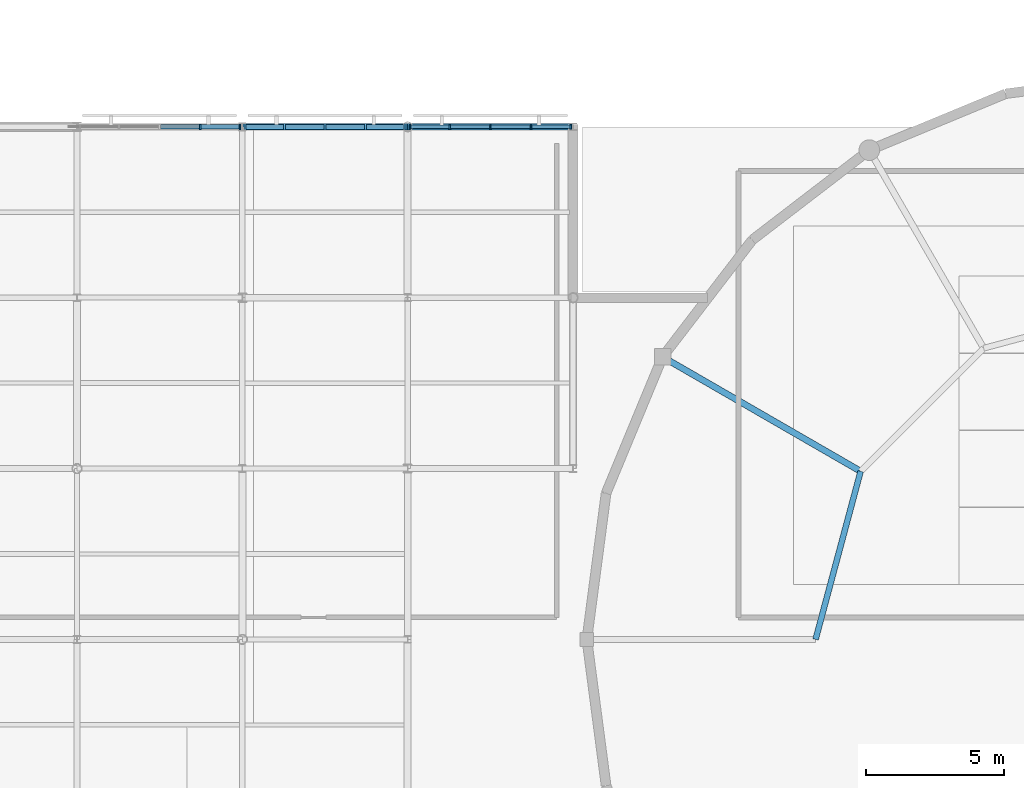
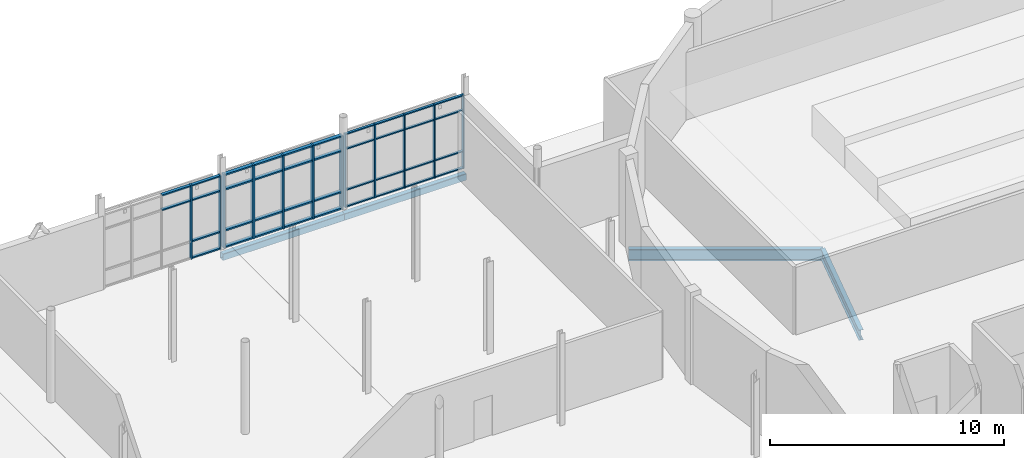
# One storey, part 32 of 84: 50 members, 4 beams, 3 elements without a shape of their own.
"""IFC4 building model written with IfcOpenShell, lengths in metres."""

from ifc_helpers import new_model, si_unit, direction, frame, origin, origin_2d, place, context, subcontext, project, spatial, rectangle, hollow_rectangle, i_section, extrude, material, layer, layer_set, material_profile, profile_set, type_object, element, aggregate, save


model = new_model("IFC4")

# Units and contexts
model_context = context("Model", 3, precision=1e-05, world=origin(), true_north=direction((0.0, 1.0)))
body_context = subcontext(model_context, "Body", "Model", "MODEL_VIEW")
ifc_project = project(units=[si_unit("LENGTHUNIT", "METRE"), si_unit("AREAUNIT", "SQUARE_METRE"), si_unit("VOLUMEUNIT", "CUBIC_METRE"), si_unit("PLANEANGLEUNIT", "RADIAN"), si_unit("MASSUNIT", "GRAM", prefix="KILO")], contexts=[model_context])

# Site, building, storey
site_placement = place(None, origin())
site = spatial("IfcSite", under=ifc_project, at=site_placement, CompositionType="ELEMENT")
building_placement = place(site_placement, origin())
building = spatial("IfcBuilding", under=site, at=building_placement, Name="Mirzam Square Science Centre", CompositionType="ELEMENT")
storey_placement = place(building_placement, frame((0.0, 0.0, 10.800048828125)))
storey = spatial("IfcBuildingStorey", under=building, at=storey_placement, Name="L02", CompositionType="ELEMENT", Elevation=10.800048828125)

# Beams
ifc_material_1 = material(Name="Steel S355", Category="steel")
ifc_material_profile_1 = material_profile(ifc_material_1, i_section(OverallWidth=0.2099609375, OverallDepth=0.53662109375, WebThickness=0.0107421875, FlangeThickness=0.017333984375, FilletRadius=0.0126953125, at=origin_2d()), Name="533x210x101UB")
ifc_profile_set_1 = profile_set([ifc_material_profile_1], Name="Steel S355")
beam_type_1 = type_object("IfcBeamType", Name="BM-UB533", PredefinedType="BEAM", material=ifc_profile_set_1)
beam_1_placement = place(storey_placement, frame((70.4345703125, 68.10009765625, -0.54833984375), z_axis=(-0.25881981979, -0.965925618712, 0.0), x_axis=(0.965925618712, -0.25881981979, 0.0)))
element("IfcBeam", 1, at=beam_1_placement, inside=storey, type_object=beam_type_1, Name="L02 inner drum ring girder 06", PredefinedType="BEAM", context=body_context, shape_type="SweptSolid", body=[
    extrude(i_section(OverallWidth=0.2099609375, OverallDepth=0.53662109375, WebThickness=0.0107421875, FlangeThickness=0.017333984375, FilletRadius=0.0126953125, at=origin_2d()), origin(), (0.0, 0.0, 1.0), 6.315185546875),
])
ifc_material_profile_2 = material_profile(ifc_material_1, i_section(OverallWidth=0.22900390625, OverallDepth=0.6123046875, WebThickness=0.011962890625, FlangeThickness=0.01953125, FilletRadius=0.0126953125, at=origin_2d()), Name="610x229x125UB")
ifc_profile_set_2 = profile_set([ifc_material_profile_2], Name="Steel S355")
beam_type_2 = type_object("IfcBeamType", Name="BM-UB610", PredefinedType="BEAM", material=ifc_profile_set_2)
beam_2_placement = place(storey_placement, frame((70.4345703125, 68.10009765625, -0.586181640625), z_axis=(-0.86602981871, 0.499992353047, 0.0), x_axis=(-0.499992353047, -0.86602981871, 0.0)))
element("IfcBeam", 2, at=beam_2_placement, inside=storey, type_object=beam_type_2, Name="L02 drum radial girder 06", PredefinedType="BEAM", context=body_context, shape_type="SweptSolid", body=[
    extrude(i_section(OverallWidth=0.22900390625, OverallDepth=0.6123046875, WebThickness=0.011962890625, FlangeThickness=0.01953125, FilletRadius=0.0126953125, at=origin_2d()), origin(), (0.0, 0.0, 1.0), 8.300048828125),
])

# Curtain wall, members
ifc_material_2 = material(Name="Anodised Aluminium and Low-E Solar Glass", Category="aluminium")
ifc_layer_1 = layer(ifc_material_2, 0.199951171875)
ifc_layer_set_1 = layer_set([ifc_layer_1], Name="CW-EAST-A")
curtain_wall_type_1 = type_object("IfcCurtainWallType", Name="CW-EAST-A", PredefinedType="USERDEFINED", material=ifc_layer_set_1)
curtain_wall_1_placement = place(storey_placement, origin())
curtain_wall_1 = element("IfcCurtainWall", 3, at=curtain_wall_1_placement, inside=storey, type_object=curtain_wall_type_1, Name="L02 unitised curtain wall 26", ObjectType="UNITISED CURTAIN WALL", PredefinedType="USERDEFINED")
ifc_material_3 = material(Name="Anodised Architectural Aluminium 6063-T6", Category="aluminium")
ifc_material_profile_3 = material_profile(ifc_material_3, rectangle(XDim=0.06005859375, YDim=0.159912109375, at=origin_2d()), Name="ALU-MULL-160x60x4")
ifc_profile_set_3 = profile_set([ifc_material_profile_3], Name="Anodised Architectural Aluminium 6063-T6")
member_type_1 = type_object("IfcMemberType", Name="CWM-160", PredefinedType="MULLION", material=ifc_profile_set_3)
member_1_placement = place(storey_placement, frame((59.9150390625, 80.60009765625, 0.0), z_axis=(0.0, 0.0, 1.0), x_axis=(-1.0, 0.0, 0.0)))
member_1 = element("IfcMember", 4, at=member_1_placement, type_object=member_type_1, Name="CW-05 mullion 1", PredefinedType="MULLION", context=body_context, shape_type="SweptSolid", body=[
    extrude(rectangle(XDim=0.06005859375, YDim=0.159912109375, at=origin_2d()), origin(), (0.0, 0.0, 1.0), 3.83984375),
])
member_2_placement = place(storey_placement, frame((58.472412109375, 80.60009765625, 0.0), z_axis=(0.0, 0.0, 1.0), x_axis=(-1.0, 0.0, 0.0)))
member_2 = element("IfcMember", 5, at=member_2_placement, type_object=member_type_1, Name="CW-05 mullion 2", PredefinedType="MULLION", context=body_context, shape_type="SweptSolid", body=[
    extrude(rectangle(XDim=0.06005859375, YDim=0.159912109375, at=origin_2d()), origin(), (0.0, 0.0, 1.0), 3.83984375),
])
member_3_placement = place(storey_placement, frame((57.0, 80.60009765625, 0.0), z_axis=(0.0, 0.0, 1.0), x_axis=(-1.0, 0.0, 0.0)))
member_3 = element("IfcMember", 6, at=member_3_placement, type_object=member_type_1, Name="CW-05 mullion 3", PredefinedType="MULLION", context=body_context, shape_type="SweptSolid", body=[
    extrude(rectangle(XDim=0.06005859375, YDim=0.159912109375, at=origin_2d()), origin(), (0.0, 0.0, 1.0), 3.83984375),
])
member_4_placement = place(storey_placement, frame((55.527587890625, 80.60009765625, 0.0), z_axis=(0.0, 0.0, 1.0), x_axis=(-1.0, 0.0, 0.0)))
member_4 = element("IfcMember", 7, at=member_4_placement, type_object=member_type_1, Name="CW-05 mullion 4", PredefinedType="MULLION", context=body_context, shape_type="SweptSolid", body=[
    extrude(rectangle(XDim=0.06005859375, YDim=0.159912109375, at=origin_2d()), origin(), (0.0, 0.0, 1.0), 3.83984375),
])
member_5_placement = place(storey_placement, frame((54.0849609375, 80.60009765625, 0.0), z_axis=(0.0, 0.0, 1.0), x_axis=(-1.0, 0.0, 0.0)))
member_5 = element("IfcMember", 8, at=member_5_placement, type_object=member_type_1, Name="CW-05 mullion 5", PredefinedType="MULLION", context=body_context, shape_type="SweptSolid", body=[
    extrude(rectangle(XDim=0.06005859375, YDim=0.159912109375, at=origin_2d()), origin(), (0.0, 0.0, 1.0), 3.83984375),
])

ifc_layer_2 = layer(ifc_material_2, 0.159912109375)
ifc_layer_set_2 = layer_set([ifc_layer_2], Name="CW-COURT-A")
curtain_wall_type_2 = type_object("IfcCurtainWallType", Name="CW-COURT-A", PredefinedType="USERDEFINED", material=ifc_layer_set_2)
curtain_wall_2_placement = place(storey_placement, origin())
curtain_wall_2 = element("IfcCurtainWall", 9, at=curtain_wall_2_placement, inside=storey, type_object=curtain_wall_type_2, Name="L02 unitised curtain wall 24", ObjectType="UNITISED CURTAIN WALL", PredefinedType="USERDEFINED")
ifc_material_profile_4 = material_profile(ifc_material_3, rectangle(XDim=0.06494140625, YDim=0.199951171875, at=origin_2d()), Name="ALU-MULL-200x65x5")
ifc_profile_set_4 = profile_set([ifc_material_profile_4], Name="Anodised Architectural Aluminium 6063-T6")
member_type_2 = type_object("IfcMemberType", Name="CWM-200", PredefinedType="MULLION", material=ifc_profile_set_4)
member_6_placement = place(storey_placement, frame((47.91259765625, 80.60009765625, 0.0), z_axis=(0.0, 0.0, 1.0), x_axis=(-1.0, 0.0, 0.0)))
member_6 = element("IfcMember", 10, at=member_6_placement, type_object=member_type_2, Name="CW-03 mullion 1", PredefinedType="MULLION", context=body_context, shape_type="SweptSolid", body=[
    extrude(rectangle(XDim=0.06494140625, YDim=0.199951171875, at=origin_2d()), origin(), (0.0, 0.0, 1.0), 3.83984375),
])
member_7_placement = place(storey_placement, frame((46.472412109375, 80.60009765625, 0.0), z_axis=(0.0, 0.0, 1.0), x_axis=(-1.0, 0.0, 0.0)))
member_7 = element("IfcMember", 11, at=member_7_placement, type_object=member_type_2, Name="CW-03 mullion 2", PredefinedType="MULLION", context=body_context, shape_type="SweptSolid", body=[
    extrude(rectangle(XDim=0.06494140625, YDim=0.199951171875, at=origin_2d()), origin(), (0.0, 0.0, 1.0), 3.83984375),
])

ifc_layer_3 = layer(ifc_material_2, 0.159912109375)
ifc_layer_set_3 = layer_set([ifc_layer_3], Name="CW-COURT-B")
curtain_wall_type_3 = type_object("IfcCurtainWallType", Name="CW-COURT-B", PredefinedType="USERDEFINED", material=ifc_layer_set_3)
curtain_wall_3_placement = place(storey_placement, origin())
curtain_wall_3 = element("IfcCurtainWall", 12, at=curtain_wall_3_placement, inside=storey, type_object=curtain_wall_type_3, Name="L02 unitised curtain wall 25", ObjectType="UNITISED CURTAIN WALL", PredefinedType="USERDEFINED")
ifc_material_profile_5 = material_profile(ifc_material_3, rectangle(XDim=0.074951171875, YDim=0.239990234375, at=origin_2d()), Name="ALU-MULL-240x75x5")
ifc_profile_set_5 = profile_set([ifc_material_profile_5], Name="Anodised Architectural Aluminium 6063-T6")
member_type_3 = type_object("IfcMemberType", Name="CWM-240", PredefinedType="MULLION", material=ifc_profile_set_5)
member_8_placement = place(storey_placement, frame((53.907470703125, 80.60009765625, 0.0), z_axis=(0.0, 0.0, 1.0), x_axis=(-1.0, 0.0, 0.0)))
member_8 = element("IfcMember", 13, at=member_8_placement, type_object=member_type_3, Name="CW-04 mullion 1", PredefinedType="MULLION", context=body_context, shape_type="SweptSolid", body=[
    extrude(rectangle(XDim=0.074951171875, YDim=0.239990234375, at=origin_2d()), origin(), (0.0, 0.0, 1.0), 3.83984375),
])
member_9_placement = place(storey_placement, frame((52.472412109375, 80.60009765625, 0.0), z_axis=(0.0, 0.0, 1.0), x_axis=(-1.0, 0.0, 0.0)))
member_9 = element("IfcMember", 14, at=member_9_placement, type_object=member_type_3, Name="CW-04 mullion 2", PredefinedType="MULLION", context=body_context, shape_type="SweptSolid", body=[
    extrude(rectangle(XDim=0.074951171875, YDim=0.239990234375, at=origin_2d()), origin(), (0.0, 0.0, 1.0), 3.83984375),
])
member_10_placement = place(storey_placement, frame((51.0, 80.60009765625, 0.0), z_axis=(0.0, 0.0, 1.0), x_axis=(-1.0, 0.0, 0.0)))
member_10 = element("IfcMember", 15, at=member_10_placement, type_object=member_type_3, Name="CW-04 mullion 3", PredefinedType="MULLION", context=body_context, shape_type="SweptSolid", body=[
    extrude(rectangle(XDim=0.074951171875, YDim=0.239990234375, at=origin_2d()), origin(), (0.0, 0.0, 1.0), 3.83984375),
])
member_11_placement = place(storey_placement, frame((49.527587890625, 80.60009765625, 0.0), z_axis=(0.0, 0.0, 1.0), x_axis=(-1.0, 0.0, 0.0)))
member_11 = element("IfcMember", 16, at=member_11_placement, type_object=member_type_3, Name="CW-04 mullion 4", PredefinedType="MULLION", context=body_context, shape_type="SweptSolid", body=[
    extrude(rectangle(XDim=0.074951171875, YDim=0.239990234375, at=origin_2d()), origin(), (0.0, 0.0, 1.0), 3.83984375),
])
member_12_placement = place(storey_placement, frame((48.092529296875, 80.60009765625, 0.0), z_axis=(0.0, 0.0, 1.0), x_axis=(-1.0, 0.0, 0.0)))
member_12 = element("IfcMember", 17, at=member_12_placement, type_object=member_type_3, Name="CW-04 mullion 5", PredefinedType="MULLION", context=body_context, shape_type="SweptSolid", body=[
    extrude(rectangle(XDim=0.074951171875, YDim=0.239990234375, at=origin_2d()), origin(), (0.0, 0.0, 1.0), 3.83984375),
])

# Member
ifc_material_profile_6 = material_profile(ifc_material_3, rectangle(XDim=0.1201171875, YDim=0.06005859375, at=origin_2d()), Name="ALU-TRAN-120x60x4")
ifc_profile_set_6 = profile_set([ifc_material_profile_6], Name="Anodised Architectural Aluminium 6063-T6")
member_type_4 = type_object("IfcMemberType", Name="CWT-120", PredefinedType="USERDEFINED", material=ifc_profile_set_6)
member_13_placement = place(storey_placement, frame((59.885009765625, 80.60009765625, 0.030029296875), z_axis=(-1.0, 0.0, 0.0), x_axis=(0.0, -1.0, 0.0)))
member_13 = element("IfcMember", 18, at=member_13_placement, type_object=member_type_4, Name="CW-05 transom 1.1", ObjectType="TRANSOM", PredefinedType="USERDEFINED", context=body_context, shape_type="SweptSolid", body=[
    extrude(rectangle(XDim=0.1201171875, YDim=0.06005859375, at=origin_2d()), origin(), (0.0, 0.0, 1.0), 1.382568359375),
])

member_14_placement = place(storey_placement, frame((59.885009765625, 80.60009765625, 0.89990234375), z_axis=(-1.0, 0.0, 0.0), x_axis=(0.0, -1.0, 0.0)))
member_14 = element("IfcMember", 19, at=member_14_placement, type_object=member_type_4, Name="CW-05 transom 1.2", ObjectType="TRANSOM", PredefinedType="USERDEFINED", context=body_context, shape_type="SweptSolid", body=[
    extrude(rectangle(XDim=0.1201171875, YDim=0.06005859375, at=origin_2d()), origin(), (0.0, 0.0, 1.0), 1.382568359375),
])

member_15_placement = place(storey_placement, frame((59.885009765625, 80.60009765625, 3.0400390625), z_axis=(-1.0, 0.0, 0.0), x_axis=(0.0, -1.0, 0.0)))
member_15 = element("IfcMember", 20, at=member_15_placement, type_object=member_type_4, Name="CW-05 transom 1.3", ObjectType="TRANSOM", PredefinedType="USERDEFINED", context=body_context, shape_type="SweptSolid", body=[
    extrude(rectangle(XDim=0.1201171875, YDim=0.06005859375, at=origin_2d()), origin(), (0.0, 0.0, 1.0), 1.382568359375),
])

member_16_placement = place(storey_placement, frame((59.885009765625, 80.60009765625, 3.81005859375), z_axis=(-1.0, 0.0, 0.0), x_axis=(0.0, -1.0, 0.0)))
member_16 = element("IfcMember", 21, at=member_16_placement, type_object=member_type_4, Name="CW-05 transom 1.4", ObjectType="TRANSOM", PredefinedType="USERDEFINED", context=body_context, shape_type="SweptSolid", body=[
    extrude(rectangle(XDim=0.1201171875, YDim=0.06005859375, at=origin_2d()), origin(), (0.0, 0.0, 1.0), 1.382568359375),
])

member_17_placement = place(storey_placement, frame((58.4423828125, 80.60009765625, 0.030029296875), z_axis=(-1.0, 0.0, 0.0), x_axis=(0.0, -1.0, 0.0)))
member_17 = element("IfcMember", 22, at=member_17_placement, type_object=member_type_4, Name="CW-05 transom 2.1", ObjectType="TRANSOM", PredefinedType="USERDEFINED", context=body_context, shape_type="SweptSolid", body=[
    extrude(rectangle(XDim=0.1201171875, YDim=0.06005859375, at=origin_2d()), origin(), (0.0, 0.0, 1.0), 1.412353515625),
])

member_18_placement = place(storey_placement, frame((58.4423828125, 80.60009765625, 0.89990234375), z_axis=(-1.0, 0.0, 0.0), x_axis=(0.0, -1.0, 0.0)))
member_18 = element("IfcMember", 23, at=member_18_placement, type_object=member_type_4, Name="CW-05 transom 2.2", ObjectType="TRANSOM", PredefinedType="USERDEFINED", context=body_context, shape_type="SweptSolid", body=[
    extrude(rectangle(XDim=0.1201171875, YDim=0.06005859375, at=origin_2d()), origin(), (0.0, 0.0, 1.0), 1.412353515625),
])

member_19_placement = place(storey_placement, frame((58.4423828125, 80.60009765625, 3.0400390625), z_axis=(-1.0, 0.0, 0.0), x_axis=(0.0, -1.0, 0.0)))
member_19 = element("IfcMember", 24, at=member_19_placement, type_object=member_type_4, Name="CW-05 transom 2.3", ObjectType="TRANSOM", PredefinedType="USERDEFINED", context=body_context, shape_type="SweptSolid", body=[
    extrude(rectangle(XDim=0.1201171875, YDim=0.06005859375, at=origin_2d()), origin(), (0.0, 0.0, 1.0), 1.412353515625),
])

member_20_placement = place(storey_placement, frame((58.4423828125, 80.60009765625, 3.81005859375), z_axis=(-1.0, 0.0, 0.0), x_axis=(0.0, -1.0, 0.0)))
member_20 = element("IfcMember", 25, at=member_20_placement, type_object=member_type_4, Name="CW-05 transom 2.4", ObjectType="TRANSOM", PredefinedType="USERDEFINED", context=body_context, shape_type="SweptSolid", body=[
    extrude(rectangle(XDim=0.1201171875, YDim=0.06005859375, at=origin_2d()), origin(), (0.0, 0.0, 1.0), 1.412353515625),
])

member_21_placement = place(storey_placement, frame((56.969970703125, 80.60009765625, 0.030029296875), z_axis=(-1.0, 0.0, 0.0), x_axis=(0.0, -1.0, 0.0)))
member_21 = element("IfcMember", 26, at=member_21_placement, type_object=member_type_4, Name="CW-05 transom 3.1", ObjectType="TRANSOM", PredefinedType="USERDEFINED", context=body_context, shape_type="SweptSolid", body=[
    extrude(rectangle(XDim=0.1201171875, YDim=0.06005859375, at=origin_2d()), origin(), (0.0, 0.0, 1.0), 1.412353515625),
])

member_22_placement = place(storey_placement, frame((56.969970703125, 80.60009765625, 0.89990234375), z_axis=(-1.0, 0.0, 0.0), x_axis=(0.0, -1.0, 0.0)))
member_22 = element("IfcMember", 27, at=member_22_placement, type_object=member_type_4, Name="CW-05 transom 3.2", ObjectType="TRANSOM", PredefinedType="USERDEFINED", context=body_context, shape_type="SweptSolid", body=[
    extrude(rectangle(XDim=0.1201171875, YDim=0.06005859375, at=origin_2d()), origin(), (0.0, 0.0, 1.0), 1.412353515625),
])

member_23_placement = place(storey_placement, frame((56.969970703125, 80.60009765625, 3.0400390625), z_axis=(-1.0, 0.0, 0.0), x_axis=(0.0, -1.0, 0.0)))
member_23 = element("IfcMember", 28, at=member_23_placement, type_object=member_type_4, Name="CW-05 transom 3.3", ObjectType="TRANSOM", PredefinedType="USERDEFINED", context=body_context, shape_type="SweptSolid", body=[
    extrude(rectangle(XDim=0.1201171875, YDim=0.06005859375, at=origin_2d()), origin(), (0.0, 0.0, 1.0), 1.412353515625),
])

member_24_placement = place(storey_placement, frame((56.969970703125, 80.60009765625, 3.81005859375), z_axis=(-1.0, 0.0, 0.0), x_axis=(0.0, -1.0, 0.0)))
member_24 = element("IfcMember", 29, at=member_24_placement, type_object=member_type_4, Name="CW-05 transom 3.4", ObjectType="TRANSOM", PredefinedType="USERDEFINED", context=body_context, shape_type="SweptSolid", body=[
    extrude(rectangle(XDim=0.1201171875, YDim=0.06005859375, at=origin_2d()), origin(), (0.0, 0.0, 1.0), 1.412353515625),
])

member_25_placement = place(storey_placement, frame((55.49755859375, 80.60009765625, 0.030029296875), z_axis=(-1.0, 0.0, 0.0), x_axis=(0.0, -1.0, 0.0)))
member_25 = element("IfcMember", 30, at=member_25_placement, type_object=member_type_4, Name="CW-05 transom 4.1", ObjectType="TRANSOM", PredefinedType="USERDEFINED", context=body_context, shape_type="SweptSolid", body=[
    extrude(rectangle(XDim=0.1201171875, YDim=0.06005859375, at=origin_2d()), origin(), (0.0, 0.0, 1.0), 1.382568359375),
])

member_26_placement = place(storey_placement, frame((55.49755859375, 80.60009765625, 0.89990234375), z_axis=(-1.0, 0.0, 0.0), x_axis=(0.0, -1.0, 0.0)))
member_26 = element("IfcMember", 31, at=member_26_placement, type_object=member_type_4, Name="CW-05 transom 4.2", ObjectType="TRANSOM", PredefinedType="USERDEFINED", context=body_context, shape_type="SweptSolid", body=[
    extrude(rectangle(XDim=0.1201171875, YDim=0.06005859375, at=origin_2d()), origin(), (0.0, 0.0, 1.0), 1.382568359375),
])

member_27_placement = place(storey_placement, frame((55.49755859375, 80.60009765625, 3.0400390625), z_axis=(-1.0, 0.0, 0.0), x_axis=(0.0, -1.0, 0.0)))
member_27 = element("IfcMember", 32, at=member_27_placement, type_object=member_type_4, Name="CW-05 transom 4.3", ObjectType="TRANSOM", PredefinedType="USERDEFINED", context=body_context, shape_type="SweptSolid", body=[
    extrude(rectangle(XDim=0.1201171875, YDim=0.06005859375, at=origin_2d()), origin(), (0.0, 0.0, 1.0), 1.382568359375),
])

member_28_placement = place(storey_placement, frame((55.49755859375, 80.60009765625, 3.81005859375), z_axis=(-1.0, 0.0, 0.0), x_axis=(0.0, -1.0, 0.0)))
member_28 = element("IfcMember", 33, at=member_28_placement, type_object=member_type_4, Name="CW-05 transom 4.4", ObjectType="TRANSOM", PredefinedType="USERDEFINED", context=body_context, shape_type="SweptSolid", body=[
    extrude(rectangle(XDim=0.1201171875, YDim=0.06005859375, at=origin_2d()), origin(), (0.0, 0.0, 1.0), 1.382568359375),
])

aggregate(curtain_wall_1, [member_1, member_2, member_3, member_4, member_5, member_13, member_14, member_15, member_16, member_17, member_18, member_19, member_20, member_21, member_22, member_23, member_24, member_25, member_26, member_27, member_28])

ifc_material_profile_7 = material_profile(ifc_material_3, rectangle(XDim=0.14990234375, YDim=0.06494140625, at=origin_2d()), Name="ALU-TRAN-150x65x4")
ifc_profile_set_7 = profile_set([ifc_material_profile_7], Name="Anodised Architectural Aluminium 6063-T6")
member_type_5 = type_object("IfcMemberType", Name="CWT-150", PredefinedType="USERDEFINED", material=ifc_profile_set_7)
member_29_placement = place(storey_placement, frame((47.8798828125, 80.60009765625, 0.032470703125), z_axis=(-1.0, 0.0, 0.0), x_axis=(0.0, -1.0, 0.0)))
member_29 = element("IfcMember", 34, at=member_29_placement, type_object=member_type_5, Name="CW-03 transom 1.1", ObjectType="TRANSOM", PredefinedType="USERDEFINED", context=body_context, shape_type="SweptSolid", body=[
    extrude(rectangle(XDim=0.14990234375, YDim=0.06494140625, at=origin_2d()), origin(), (0.0, 0.0, 1.0), 1.375),
])

member_30_placement = place(storey_placement, frame((47.8798828125, 80.60009765625, 0.89990234375), z_axis=(-1.0, 0.0, 0.0), x_axis=(0.0, -1.0, 0.0)))
member_30 = element("IfcMember", 35, at=member_30_placement, type_object=member_type_5, Name="CW-03 transom 1.2", ObjectType="TRANSOM", PredefinedType="USERDEFINED", context=body_context, shape_type="SweptSolid", body=[
    extrude(rectangle(XDim=0.14990234375, YDim=0.06494140625, at=origin_2d()), origin(), (0.0, 0.0, 1.0), 1.375),
])

member_31_placement = place(storey_placement, frame((47.8798828125, 80.60009765625, 3.0400390625), z_axis=(-1.0, 0.0, 0.0), x_axis=(0.0, -1.0, 0.0)))
member_31 = element("IfcMember", 36, at=member_31_placement, type_object=member_type_5, Name="CW-03 transom 1.3", ObjectType="TRANSOM", PredefinedType="USERDEFINED", context=body_context, shape_type="SweptSolid", body=[
    extrude(rectangle(XDim=0.14990234375, YDim=0.06494140625, at=origin_2d()), origin(), (0.0, 0.0, 1.0), 1.375),
])

member_32_placement = place(storey_placement, frame((47.8798828125, 80.60009765625, 3.807373046875), z_axis=(-1.0, 0.0, 0.0), x_axis=(0.0, -1.0, 0.0)))
member_32 = element("IfcMember", 37, at=member_32_placement, type_object=member_type_5, Name="CW-03 transom 1.4", ObjectType="TRANSOM", PredefinedType="USERDEFINED", context=body_context, shape_type="SweptSolid", body=[
    extrude(rectangle(XDim=0.14990234375, YDim=0.06494140625, at=origin_2d()), origin(), (0.0, 0.0, 1.0), 1.375),
])

member_33_placement = place(storey_placement, frame((46.43994140625, 80.60009765625, 3.0400390625), z_axis=(-1.0, 0.0, 0.0), x_axis=(0.0, -1.0, 0.0)))
member_33 = element("IfcMember", 38, at=member_33_placement, type_object=member_type_5, Name="CW-03 transom 2.3", ObjectType="TRANSOM", PredefinedType="USERDEFINED", context=body_context, shape_type="SweptSolid", body=[
    extrude(rectangle(XDim=0.14990234375, YDim=0.06494140625, at=origin_2d()), origin(), (0.0, 0.0, 1.0), 1.407470703125),
])

member_34_placement = place(storey_placement, frame((46.43994140625, 80.60009765625, 3.807373046875), z_axis=(-1.0, 0.0, 0.0), x_axis=(0.0, -1.0, 0.0)))
member_34 = element("IfcMember", 39, at=member_34_placement, type_object=member_type_5, Name="CW-03 transom 2.4", ObjectType="TRANSOM", PredefinedType="USERDEFINED", context=body_context, shape_type="SweptSolid", body=[
    extrude(rectangle(XDim=0.14990234375, YDim=0.06494140625, at=origin_2d()), origin(), (0.0, 0.0, 1.0), 1.407470703125),
])

aggregate(curtain_wall_2, [member_6, member_7, member_29, member_30, member_31, member_32, member_33, member_34])

ifc_material_profile_8 = material_profile(ifc_material_3, rectangle(XDim=0.179931640625, YDim=0.074951171875, at=origin_2d()), Name="ALU-TRAN-180x75x5")
ifc_profile_set_8 = profile_set([ifc_material_profile_8], Name="Anodised Architectural Aluminium 6063-T6")
member_type_6 = type_object("IfcMemberType", Name="CWT-180", PredefinedType="USERDEFINED", material=ifc_profile_set_8)
member_35_placement = place(storey_placement, frame((53.8701171875, 80.60009765625, 0.037353515625), z_axis=(-1.0, 0.0, 0.0), x_axis=(0.0, -1.0, 0.0)))
member_35 = element("IfcMember", 40, at=member_35_placement, type_object=member_type_6, Name="CW-04 transom 1.1", ObjectType="TRANSOM", PredefinedType="USERDEFINED", context=body_context, shape_type="SweptSolid", body=[
    extrude(rectangle(XDim=0.179931640625, YDim=0.074951171875, at=origin_2d()), origin(), (0.0, 0.0, 1.0), 1.360107421875),
])

member_36_placement = place(storey_placement, frame((53.8701171875, 80.60009765625, 0.89990234375), z_axis=(-1.0, 0.0, 0.0), x_axis=(0.0, -1.0, 0.0)))
member_36 = element("IfcMember", 41, at=member_36_placement, type_object=member_type_6, Name="CW-04 transom 1.2", ObjectType="TRANSOM", PredefinedType="USERDEFINED", context=body_context, shape_type="SweptSolid", body=[
    extrude(rectangle(XDim=0.179931640625, YDim=0.074951171875, at=origin_2d()), origin(), (0.0, 0.0, 1.0), 1.360107421875),
])

member_37_placement = place(storey_placement, frame((53.8701171875, 80.60009765625, 3.0400390625), z_axis=(-1.0, 0.0, 0.0), x_axis=(0.0, -1.0, 0.0)))
member_37 = element("IfcMember", 42, at=member_37_placement, type_object=member_type_6, Name="CW-04 transom 1.3", ObjectType="TRANSOM", PredefinedType="USERDEFINED", context=body_context, shape_type="SweptSolid", body=[
    extrude(rectangle(XDim=0.179931640625, YDim=0.074951171875, at=origin_2d()), origin(), (0.0, 0.0, 1.0), 1.360107421875),
])

member_38_placement = place(storey_placement, frame((53.8701171875, 80.60009765625, 3.802490234375), z_axis=(-1.0, 0.0, 0.0), x_axis=(0.0, -1.0, 0.0)))
member_38 = element("IfcMember", 43, at=member_38_placement, type_object=member_type_6, Name="CW-04 transom 1.4", ObjectType="TRANSOM", PredefinedType="USERDEFINED", context=body_context, shape_type="SweptSolid", body=[
    extrude(rectangle(XDim=0.179931640625, YDim=0.074951171875, at=origin_2d()), origin(), (0.0, 0.0, 1.0), 1.360107421875),
])

member_39_placement = place(storey_placement, frame((52.43505859375, 80.60009765625, 0.037353515625), z_axis=(-1.0, 0.0, 0.0), x_axis=(0.0, -1.0, 0.0)))
member_39 = element("IfcMember", 44, at=member_39_placement, type_object=member_type_6, Name="CW-04 transom 2.1", ObjectType="TRANSOM", PredefinedType="USERDEFINED", context=body_context, shape_type="SweptSolid", body=[
    extrude(rectangle(XDim=0.179931640625, YDim=0.074951171875, at=origin_2d()), origin(), (0.0, 0.0, 1.0), 1.3974609375),
])

member_40_placement = place(storey_placement, frame((52.43505859375, 80.60009765625, 0.89990234375), z_axis=(-1.0, 0.0, 0.0), x_axis=(0.0, -1.0, 0.0)))
member_40 = element("IfcMember", 45, at=member_40_placement, type_object=member_type_6, Name="CW-04 transom 2.2", ObjectType="TRANSOM", PredefinedType="USERDEFINED", context=body_context, shape_type="SweptSolid", body=[
    extrude(rectangle(XDim=0.179931640625, YDim=0.074951171875, at=origin_2d()), origin(), (0.0, 0.0, 1.0), 1.3974609375),
])

member_41_placement = place(storey_placement, frame((52.43505859375, 80.60009765625, 3.0400390625), z_axis=(-1.0, 0.0, 0.0), x_axis=(0.0, -1.0, 0.0)))
member_41 = element("IfcMember", 46, at=member_41_placement, type_object=member_type_6, Name="CW-04 transom 2.3", ObjectType="TRANSOM", PredefinedType="USERDEFINED", context=body_context, shape_type="SweptSolid", body=[
    extrude(rectangle(XDim=0.179931640625, YDim=0.074951171875, at=origin_2d()), origin(), (0.0, 0.0, 1.0), 1.3974609375),
])

member_42_placement = place(storey_placement, frame((52.43505859375, 80.60009765625, 3.802490234375), z_axis=(-1.0, 0.0, 0.0), x_axis=(0.0, -1.0, 0.0)))
member_42 = element("IfcMember", 47, at=member_42_placement, type_object=member_type_6, Name="CW-04 transom 2.4", ObjectType="TRANSOM", PredefinedType="USERDEFINED", context=body_context, shape_type="SweptSolid", body=[
    extrude(rectangle(XDim=0.179931640625, YDim=0.074951171875, at=origin_2d()), origin(), (0.0, 0.0, 1.0), 1.3974609375),
])

member_43_placement = place(storey_placement, frame((50.96240234375, 80.60009765625, 0.037353515625), z_axis=(-1.0, 0.0, 0.0), x_axis=(0.0, -1.0, 0.0)))
member_43 = element("IfcMember", 48, at=member_43_placement, type_object=member_type_6, Name="CW-04 transom 3.1", ObjectType="TRANSOM", PredefinedType="USERDEFINED", context=body_context, shape_type="SweptSolid", body=[
    extrude(rectangle(XDim=0.179931640625, YDim=0.074951171875, at=origin_2d()), origin(), (0.0, 0.0, 1.0), 1.3974609375),
])

member_44_placement = place(storey_placement, frame((50.96240234375, 80.60009765625, 0.89990234375), z_axis=(-1.0, 0.0, 0.0), x_axis=(0.0, -1.0, 0.0)))
member_44 = element("IfcMember", 49, at=member_44_placement, type_object=member_type_6, Name="CW-04 transom 3.2", ObjectType="TRANSOM", PredefinedType="USERDEFINED", context=body_context, shape_type="SweptSolid", body=[
    extrude(rectangle(XDim=0.179931640625, YDim=0.074951171875, at=origin_2d()), origin(), (0.0, 0.0, 1.0), 1.3974609375),
])

member_45_placement = place(storey_placement, frame((50.96240234375, 80.60009765625, 3.0400390625), z_axis=(-1.0, 0.0, 0.0), x_axis=(0.0, -1.0, 0.0)))
member_45 = element("IfcMember", 50, at=member_45_placement, type_object=member_type_6, Name="CW-04 transom 3.3", ObjectType="TRANSOM", PredefinedType="USERDEFINED", context=body_context, shape_type="SweptSolid", body=[
    extrude(rectangle(XDim=0.179931640625, YDim=0.074951171875, at=origin_2d()), origin(), (0.0, 0.0, 1.0), 1.3974609375),
])

member_46_placement = place(storey_placement, frame((50.96240234375, 80.60009765625, 3.802490234375), z_axis=(-1.0, 0.0, 0.0), x_axis=(0.0, -1.0, 0.0)))
member_46 = element("IfcMember", 51, at=member_46_placement, type_object=member_type_6, Name="CW-04 transom 3.4", ObjectType="TRANSOM", PredefinedType="USERDEFINED", context=body_context, shape_type="SweptSolid", body=[
    extrude(rectangle(XDim=0.179931640625, YDim=0.074951171875, at=origin_2d()), origin(), (0.0, 0.0, 1.0), 1.3974609375),
])

member_47_placement = place(storey_placement, frame((49.489990234375, 80.60009765625, 0.037353515625), z_axis=(-1.0, 0.0, 0.0), x_axis=(0.0, -1.0, 0.0)))
member_47 = element("IfcMember", 52, at=member_47_placement, type_object=member_type_6, Name="CW-04 transom 4.1", ObjectType="TRANSOM", PredefinedType="USERDEFINED", context=body_context, shape_type="SweptSolid", body=[
    extrude(rectangle(XDim=0.179931640625, YDim=0.074951171875, at=origin_2d()), origin(), (0.0, 0.0, 1.0), 1.360107421875),
])

member_48_placement = place(storey_placement, frame((49.489990234375, 80.60009765625, 0.89990234375), z_axis=(-1.0, 0.0, 0.0), x_axis=(0.0, -1.0, 0.0)))
member_48 = element("IfcMember", 53, at=member_48_placement, type_object=member_type_6, Name="CW-04 transom 4.2", ObjectType="TRANSOM", PredefinedType="USERDEFINED", context=body_context, shape_type="SweptSolid", body=[
    extrude(rectangle(XDim=0.179931640625, YDim=0.074951171875, at=origin_2d()), origin(), (0.0, 0.0, 1.0), 1.360107421875),
])

member_49_placement = place(storey_placement, frame((49.489990234375, 80.60009765625, 3.0400390625), z_axis=(-1.0, 0.0, 0.0), x_axis=(0.0, -1.0, 0.0)))
member_49 = element("IfcMember", 54, at=member_49_placement, type_object=member_type_6, Name="CW-04 transom 4.3", ObjectType="TRANSOM", PredefinedType="USERDEFINED", context=body_context, shape_type="SweptSolid", body=[
    extrude(rectangle(XDim=0.179931640625, YDim=0.074951171875, at=origin_2d()), origin(), (0.0, 0.0, 1.0), 1.360107421875),
])

member_50_placement = place(storey_placement, frame((49.489990234375, 80.60009765625, 3.802490234375), z_axis=(-1.0, 0.0, 0.0), x_axis=(0.0, -1.0, 0.0)))
member_50 = element("IfcMember", 55, at=member_50_placement, type_object=member_type_6, Name="CW-04 transom 4.4", ObjectType="TRANSOM", PredefinedType="USERDEFINED", context=body_context, shape_type="SweptSolid", body=[
    extrude(rectangle(XDim=0.179931640625, YDim=0.074951171875, at=origin_2d()), origin(), (0.0, 0.0, 1.0), 1.360107421875),
])

aggregate(curtain_wall_3, [member_8, member_9, member_10, member_11, member_12, member_35, member_36, member_37, member_38, member_39, member_40, member_41, member_42, member_43, member_44, member_45, member_46, member_47, member_48, member_49, member_50])

# Beams
ifc_material_profile_9 = material_profile(ifc_material_1, hollow_rectangle(XDim=0.25, YDim=0.35009765625, WallThickness=0.012451171875, InnerFilletRadius=0.012451171875, OuterFilletRadius=0.02490234375, at=origin_2d()), Name="350x250x12.5RHS")
ifc_profile_set_9 = profile_set([ifc_material_profile_9], Name="Steel S355")
beam_type_3 = type_object("IfcBeamType", Name="SP-RHS350", PredefinedType="SPANDREL", material=ifc_profile_set_9)
for number, where, z_axis, x_axis, name in (
    (56, (48.0, 80.60009765625, -0.43505859375), (1.0, 0.0, 0.0), (0.0, 1.0, 0.0), "L02 girder X9-14"),
    (57, (54.0, 80.60009765625, -0.43505859375), (1.0, 0.0, 0.0), (0.0, 1.0, 0.0), "L02 girder X10-14"),
):
    element("IfcBeam", number, at=place(storey_placement, frame(where, z_axis=z_axis, x_axis=x_axis)), inside=storey, type_object=beam_type_3, Name=name, PredefinedType="SPANDREL", context=body_context, shape_type="SweptSolid", body=[
        extrude(hollow_rectangle(XDim=0.25, YDim=0.35009765625, WallThickness=0.012451171875, InnerFilletRadius=0.012451171875, OuterFilletRadius=0.02490234375, at=origin_2d()), origin(), (0.0, 0.0, 1.0), 6.0),
    ])

save(model, "model.ifc")
